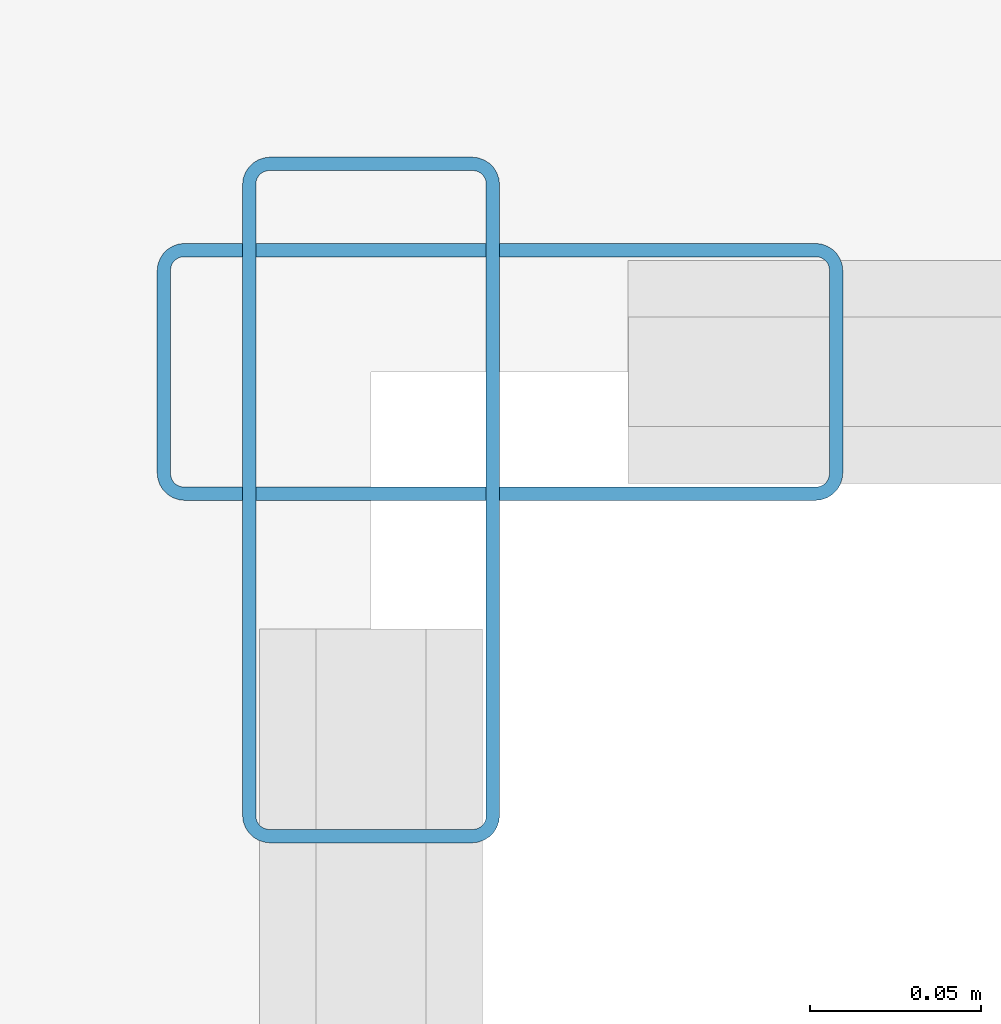
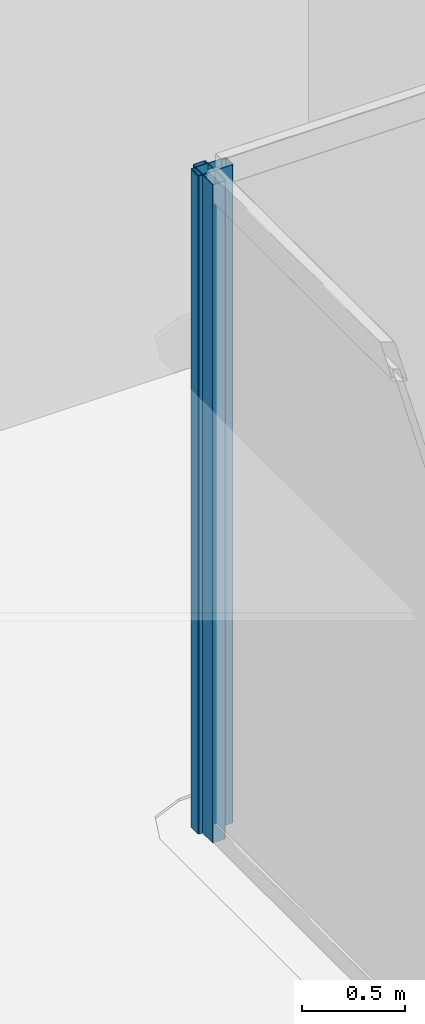
# One storey, part 20 of 47: 2 members, 2 elements without a shape of their own.
"""IFC4 building model written with IfcOpenShell, lengths in metres."""

from ifc_helpers import new_model, si_unit, direction, frame, origin, origin_2d, place, context, subcontext, project, spatial, hollow_rectangle, extrude, material, layer, layer_set, material_profile, profile_set, type_object, element, aggregate, save


model = new_model("IFC4")

# Units and contexts
model_context = context("Model", 3, precision=1e-05, world=origin(), true_north=direction((0.0, 1.0)))
body_context = subcontext(model_context, "Body", "Model", "MODEL_VIEW")
ifc_project = project(units=[si_unit("LENGTHUNIT", "METRE"), si_unit("AREAUNIT", "SQUARE_METRE"), si_unit("VOLUMEUNIT", "CUBIC_METRE"), si_unit("PLANEANGLEUNIT", "RADIAN"), si_unit("MASSUNIT", "GRAM", prefix="KILO")], contexts=[model_context])

# Site, building, storey
site_placement = place(None, origin())
site = spatial("IfcSite", under=ifc_project, at=site_placement, CompositionType="ELEMENT")
building_placement = place(site_placement, origin())
building = spatial("IfcBuilding", under=site, at=building_placement, Name="Qorvath Tower", CompositionType="ELEMENT")
storey_placement = place(building_placement, frame((0.0, 0.0, 82.800048828125)))
storey = spatial("IfcBuildingStorey", under=building, at=storey_placement, Name="L18", CompositionType="ELEMENT", Elevation=82.800048828125)

# Curtain wall, member
ifc_material_1 = material(Name="Anodised aluminium and triple low-E glass", Category="aluminium")
ifc_layer = layer(ifc_material_1, 0.179931640625)
ifc_layer_set = layer_set([ifc_layer], Name="CW-SYS-5")
curtain_wall_type = type_object("IfcCurtainWallType", Name="CW-SYS-5", PredefinedType="NOTDEFINED", material=ifc_layer_set)
curtain_wall_1_placement = place(storey_placement, origin())
curtain_wall_1 = element("IfcCurtainWall", 1, at=curtain_wall_1_placement, inside=storey, type_object=curtain_wall_type, Name="Curtain Wall CW-5 CW-T-L18-13.1", PredefinedType="NOTDEFINED")
ifc_material_2 = material(Name="Anodised aluminium 6063-T6", Category="aluminium")
ifc_material_profile = material_profile(ifc_material_2, hollow_rectangle(XDim=0.074951171875, YDim=0.199951171875, WallThickness=0.00390625, InnerFilletRadius=0.00390625, OuterFilletRadius=0.008056640625, at=origin_2d()), Name="CWM 200x75")
ifc_profile_set = profile_set([ifc_material_profile], Name="Anodised aluminium 6063-T6")
member_type = type_object("IfcMemberType", Name="CWM-200", PredefinedType="MULLION", material=ifc_profile_set)
member_1_placement = place(storey_placement, frame((2.43408203125, 5.103515625, 0.0), z_axis=(0.0, 0.0, 1.0), x_axis=(-1.0, 0.0, 0.0)))
member_1 = element("IfcMember", 2, at=member_1_placement, type_object=member_type, Name="CW-5 mullion 3", PredefinedType="MULLION", context=body_context, shape_type="SweptSolid", body=[
    extrude(hollow_rectangle(XDim=0.074951171875, YDim=0.199951171875, WallThickness=0.00390625, InnerFilletRadius=0.00390625, OuterFilletRadius=0.008056640625, at=origin_2d()), origin(), (0.0, 0.0, 1.0), 3.919921875),
])
aggregate(curtain_wall_1, [member_1])

curtain_wall_2_placement = place(storey_placement, origin())
curtain_wall_2 = element("IfcCurtainWall", 3, at=curtain_wall_2_placement, inside=storey, type_object=curtain_wall_type, Name="Curtain Wall CW-5 CW-T-L18-14.1", PredefinedType="NOTDEFINED")
member_2_placement = place(storey_placement, frame((2.4716796875, 5.140869140625, 0.0), z_axis=(0.0, 0.0, 1.0), x_axis=(0.0, 1.0, 0.0)))
member_2 = element("IfcMember", 4, at=member_2_placement, type_object=member_type, Name="CW-5 mullion 1", PredefinedType="MULLION", context=body_context, shape_type="SweptSolid", body=[
    extrude(hollow_rectangle(XDim=0.074951171875, YDim=0.199951171875, WallThickness=0.00390625, InnerFilletRadius=0.00390625, OuterFilletRadius=0.008056640625, at=origin_2d()), origin(), (0.0, 0.0, 1.0), 3.919921875),
])
aggregate(curtain_wall_2, [member_2])

save(model, "model.ifc")
